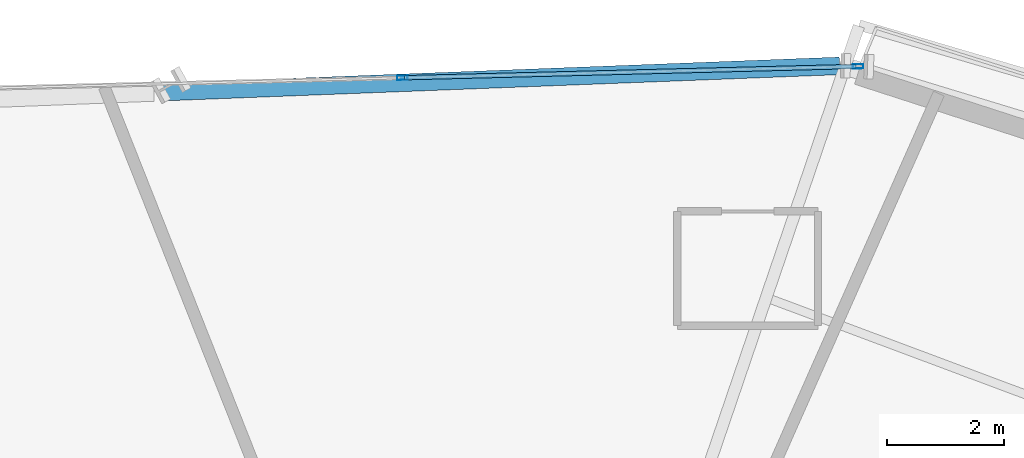
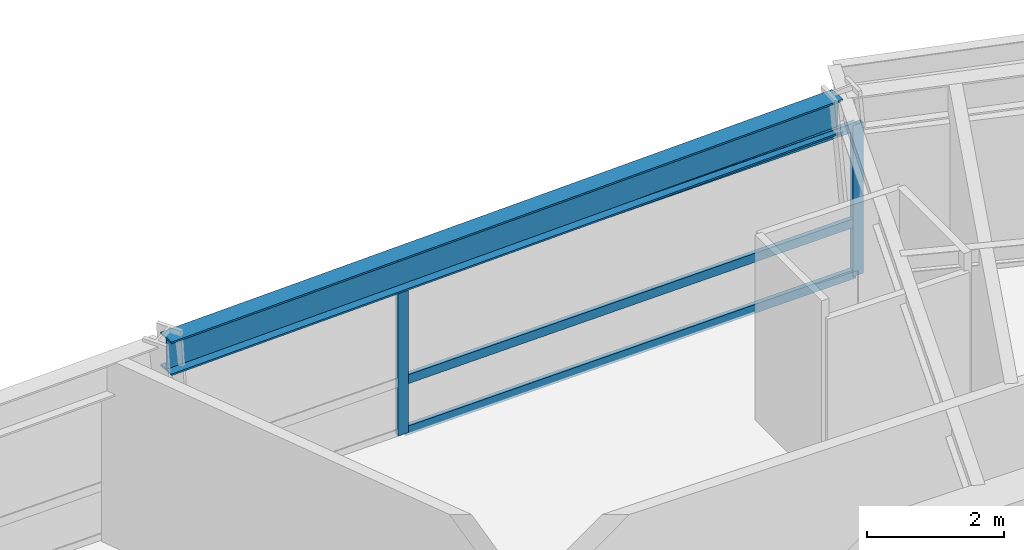
# One storey, part 8 of 20: 5 members, 1 beam, 1 element without a shape of its own.
"""IFC4 building model written with IfcOpenShell, lengths in metres."""

from ifc_helpers import new_model, si_unit, direction, frame, origin, origin_2d, place, context, subcontext, project, spatial, hollow_rectangle, i_section, extrude, source, transform, mapped, material, material_profile, profile_set, type_object, element, aggregate, save


model = new_model("IFC4")

# Units and contexts
model_context = context("Model", 3, precision=1e-05, world=origin(), true_north=direction((0.0, 1.0)))
body_context = subcontext(model_context, "Body", "Model", "MODEL_VIEW")
ifc_project = project(units=[si_unit("LENGTHUNIT", "METRE"), si_unit("AREAUNIT", "SQUARE_METRE"), si_unit("VOLUMEUNIT", "CUBIC_METRE"), si_unit("PLANEANGLEUNIT", "RADIAN"), si_unit("MASSUNIT", "GRAM", prefix="KILO")], contexts=[model_context])

# Site, building, storey
site_placement = place(None, origin())
site = spatial("IfcSite", under=ifc_project, at=site_placement, CompositionType="ELEMENT")
building_placement = place(site_placement, origin())
building = spatial("IfcBuilding", under=site, at=building_placement, Name="Olszyna Solenne Hotel", CompositionType="ELEMENT")
storey_placement = place(building_placement, frame((0.0, 0.0, 98.60009765625)))
storey = spatial("IfcBuildingStorey", under=building, at=storey_placement, Name="L25", CompositionType="ELEMENT", Elevation=98.60009765625)

# Beam
ifc_material_1 = material(Name="Steel S355J2", Category="steel")
ifc_material_profile_1 = material_profile(ifc_material_1, i_section(OverallWidth=0.300048828125, OverallDepth=0.60009765625, WebThickness=0.015380859375, FlangeThickness=0.030029296875, at=origin_2d()), Name="HEB 600", Category="load-bearing")
ifc_profile_set_1 = profile_set([ifc_material_profile_1], Name="Steel S355J2")
beam_type = type_object("IfcBeamType", Name="BM-S2", PredefinedType="BEAM", material=ifc_profile_set_1)
shared_shape_1 = source(origin(), body_context, "Body", "SweptSolid", [
    extrude(i_section(OverallWidth=0.300048828125, OverallDepth=0.60009765625, WebThickness=0.015380859375, FlangeThickness=0.030029296875, at=origin_2d()), origin(), (0.0, 0.0, 1.0), 11.588134765625),
])
beam_placement = place(storey_placement, frame((43.80615234375, 43.98876953125, 3.0), z_axis=(-0.999249144832, -0.038744632553, 0.0), x_axis=(0.038744632553, -0.999249144832, 0.0)))
element("IfcBeam", 1, at=beam_placement, inside=storey, type_object=beam_type, Name="Perimeter spandrel beam BM-S2 B-L25-0752", PredefinedType="BEAM", context=body_context, shape_type="MappedRepresentation", body=[
    mapped(shared_shape_1, transform((0.0, 0.0, 0.0), x_axis=(1.0, 0.0, 0.0), y_axis=(0.0, 1.0, 0.0), z_axis=(0.0, 0.0, 1.0), scale=1.0)),
])

# Curtain wall, members
ifc_material_2 = material(Name="Anodised bronze aluminium", Category="aluminium")
curtain_wall_type = type_object("IfcCurtainWallType", Name="CW-SYS-3", PredefinedType="NOTDEFINED", material=ifc_material_2)
curtain_wall_placement = place(storey_placement, origin())
curtain_wall = element("IfcCurtainWall", 2, at=curtain_wall_placement, inside=storey, type_object=curtain_wall_type, Name="Unitised curtain wall CW-SYS-3 CW-L25-02", PredefinedType="NOTDEFINED")
ifc_material_profile_2 = material_profile(ifc_material_2, hollow_rectangle(XDim=0.074951171875, YDim=0.179931640625, WallThickness=0.00439453125, at=origin_2d()), Name="MULL 180x75x4.5", Category="load-bearing")
ifc_profile_set_2 = profile_set([ifc_material_profile_2], Name="Anodised bronze aluminium")
member_type_1 = type_object("IfcMemberType", Name="CW-M2", PredefinedType="MULLION", material=ifc_profile_set_2)
shared_shape_2 = source(origin(), body_context, "Body", "SweptSolid", [
    extrude(hollow_rectangle(XDim=0.074951171875, YDim=0.179931640625, WallThickness=0.00439453125, at=origin_2d()), origin(), (0.0, 0.0, 1.0), 2.69189453125),
])
member_1_placement = place(storey_placement, frame((36.346435546875, 43.785400390625, 0.0), z_axis=(0.0, 0.0, 1.0), x_axis=(-0.025000076063, 0.999687449254, 0.0)))
member_1 = element("IfcMember", 3, at=member_1_placement, type_object=member_type_1, Name="Curtain-wall mullion CW-M2 CM-L25-02-03", PredefinedType="MULLION", context=body_context, shape_type="MappedRepresentation", body=[
    mapped(shared_shape_2, transform((0.0, 0.0, 0.0), x_axis=(1.0, 0.0, 0.0), y_axis=(0.0, 1.0, 0.0), z_axis=(0.0, 0.0, 1.0), scale=1.0)),
])
member_2_placement = place(storey_placement, frame((44.12255859375, 43.979736328125, 0.0), z_axis=(0.0, 0.0, 1.0), x_axis=(-0.025000076063, 0.999687449254, 0.0)))
member_2 = element("IfcMember", 4, at=member_2_placement, type_object=member_type_1, Name="Curtain-wall mullion CW-M2 CM-L25-02-04", PredefinedType="MULLION", context=body_context, shape_type="MappedRepresentation", body=[
    mapped(shared_shape_2, transform((0.0, 0.0, 0.0), x_axis=(1.0, 0.0, 0.0), y_axis=(0.0, 1.0, 0.0), z_axis=(0.0, 0.0, 1.0), scale=1.0)),
])
ifc_material_profile_3 = material_profile(ifc_material_2, hollow_rectangle(XDim=0.074951171875, YDim=0.159912109375, WallThickness=0.00390625, at=origin_2d()), Name="TRAN 160x75x4", Category="load-bearing")
ifc_profile_set_3 = profile_set([ifc_material_profile_3], Name="Anodised bronze aluminium")
member_type_2 = type_object("IfcMemberType", Name="CW-T1", PredefinedType="USERDEFINED", material=ifc_profile_set_3)
shared_shape_3 = source(origin(), body_context, "Body", "SweptSolid", [
    extrude(hollow_rectangle(XDim=0.074951171875, YDim=0.159912109375, WallThickness=0.00390625, at=origin_2d()), origin(), (0.0, 0.0, 1.0), 7.703369140625),
])
member_3_placement = place(storey_placement, frame((36.384033203125, 43.7861328125, 0.037353515625), z_axis=(0.999687309791, 0.025005652203, 0.0), x_axis=(-0.025005652203, 0.999687309791, 0.0)))
member_3 = element("IfcMember", 5, at=member_3_placement, type_object=member_type_2, Name="Curtain-wall transom CW-T1 CT-L25-02-07", ObjectType="TRANSOM", PredefinedType="USERDEFINED", context=body_context, shape_type="MappedRepresentation", body=[
    mapped(shared_shape_3, transform((0.0, 0.0, 0.0), x_axis=(1.0, 0.0, 0.0), y_axis=(0.0, 1.0, 0.0), z_axis=(0.0, 0.0, 1.0), scale=1.0)),
])
member_4_placement = place(storey_placement, frame((36.384033203125, 43.7861328125, 0.949951171875), z_axis=(0.999687309791, 0.025005652203, 0.0), x_axis=(-0.025005652203, 0.999687309791, 0.0)))
member_4 = element("IfcMember", 6, at=member_4_placement, type_object=member_type_2, Name="Curtain-wall transom CW-T1 CT-L25-02-08", ObjectType="TRANSOM", PredefinedType="USERDEFINED", context=body_context, shape_type="MappedRepresentation", body=[
    mapped(shared_shape_3, transform((0.0, 0.0, 0.0), x_axis=(1.0, 0.0, 0.0), y_axis=(0.0, 1.0, 0.0), z_axis=(0.0, 0.0, 1.0), scale=1.0)),
])
member_5_placement = place(storey_placement, frame((36.384033203125, 43.7861328125, 2.654296875), z_axis=(0.999687309791, 0.025005652203, 0.0), x_axis=(-0.025005652203, 0.999687309791, 0.0)))
member_5 = element("IfcMember", 7, at=member_5_placement, type_object=member_type_2, Name="Curtain-wall transom CW-T1 CT-L25-02-09", ObjectType="TRANSOM", PredefinedType="USERDEFINED", context=body_context, shape_type="MappedRepresentation", body=[
    mapped(shared_shape_3, transform((0.0, 0.0, 0.0), x_axis=(1.0, 0.0, 0.0), y_axis=(0.0, 1.0, 0.0), z_axis=(0.0, 0.0, 1.0), scale=1.0)),
])
aggregate(curtain_wall, [member_1, member_2, member_3, member_4, member_5])

save(model, "model.ifc")
